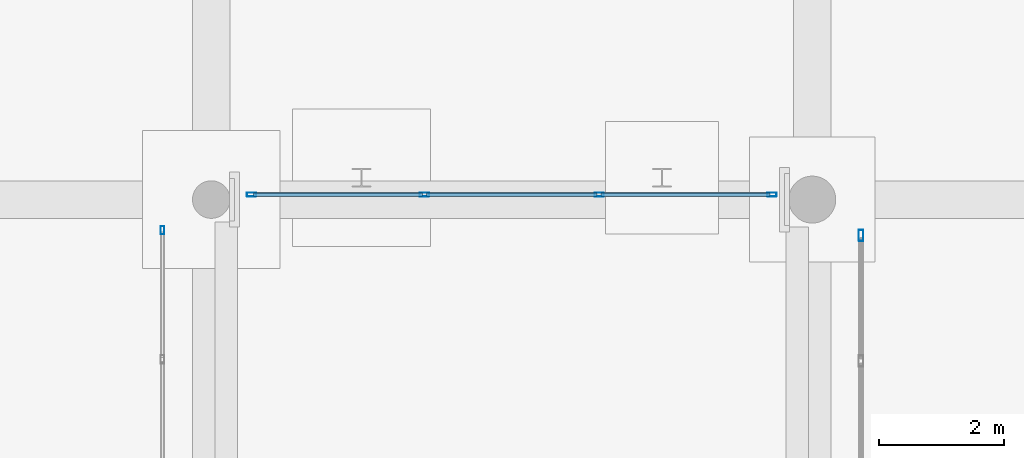
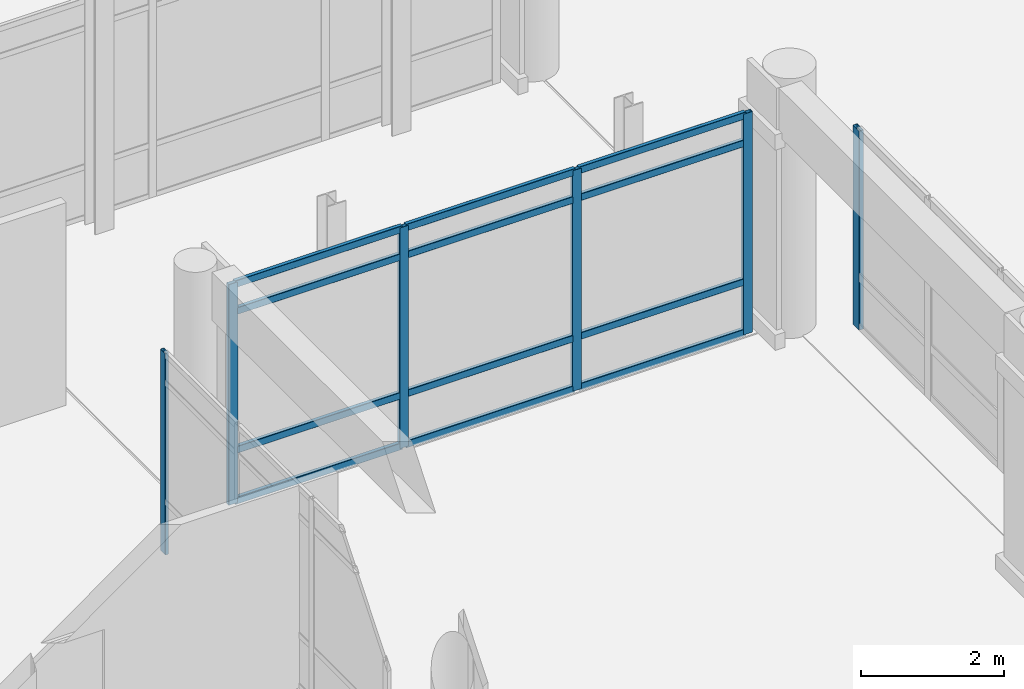
# One storey, part 82 of 196: 18 members, 3 elements without a shape of their own.
"""IFC4 building model written with IfcOpenShell, lengths in metres."""

from ifc_helpers import new_model, si_unit, direction, frame, origin, origin_2d, place, context, subcontext, project, spatial, hollow_rectangle, extrude, material, layer, layer_set, material_profile, profile_set, type_object, element, aggregate, save


model = new_model("IFC4")

# Units and contexts
model_context = context("Model", 3, precision=1e-05, world=origin(), true_north=direction((0.0, 1.0)))
body_context = subcontext(model_context, "Body", "Model", "MODEL_VIEW")
ifc_project = project(units=[si_unit("LENGTHUNIT", "METRE"), si_unit("AREAUNIT", "SQUARE_METRE"), si_unit("VOLUMEUNIT", "CUBIC_METRE"), si_unit("PLANEANGLEUNIT", "RADIAN"), si_unit("MASSUNIT", "GRAM", prefix="KILO")], contexts=[model_context])

# Site, building, storey
site_placement = place(None, origin())
site = spatial("IfcSite", under=ifc_project, at=site_placement, CompositionType="ELEMENT")
building_placement = place(site_placement, origin())
building = spatial("IfcBuilding", under=site, at=building_placement, Name="Asteropetra Specialist Clinic", CompositionType="ELEMENT")
storey_placement = place(building_placement, origin())
storey = spatial("IfcBuildingStorey", under=building, at=storey_placement, Name="L00", CompositionType="ELEMENT", Elevation=0.0)

# Curtain wall, member
ifc_material_1 = material(Name="Aluminium and low-E glass", Category="aluminium")
ifc_layer_1 = layer(ifc_material_1, 0.179931640625)
ifc_layer_set_1 = layer_set([ifc_layer_1], Name="Aluminium and low-E glass")
curtain_wall_type_1 = type_object("IfcCurtainWallType", Name="CW-SYS-10", PredefinedType="USERDEFINED", material=ifc_layer_set_1)
curtain_wall_1_placement = place(storey_placement, origin())
curtain_wall_1 = element("IfcCurtainWall", 1, at=curtain_wall_1_placement, inside=storey, type_object=curtain_wall_type_1, Name="Curtain Wall CW-170", ObjectType="STICK GLAZED COLONNADE", PredefinedType="USERDEFINED")
ifc_material_2 = material(Name="Aluminium 6063-T6", Category="aluminium")
ifc_material_profile_1 = material_profile(ifc_material_2, hollow_rectangle(XDim=0.06005859375, YDim=0.135009765625, WallThickness=0.00341796875, InnerFilletRadius=0.00341796875, OuterFilletRadius=0.007080078125, at=origin_2d()), Name="MUL 135x60x3.5")
ifc_profile_set_1 = profile_set([ifc_material_profile_1], Name="Aluminium 6063-T6")
member_type_1 = type_object("IfcMemberType", Name="CWM-135x60", PredefinedType="MULLION", material=ifc_profile_set_1)
member_1_placement = place(storey_placement, frame((95.219970703125, 47.510009765625, 0.0), z_axis=(0.0, 0.0, 1.0), x_axis=(-1.0, 0.0, 0.0)))
member_1 = element("IfcMember", 2, at=member_1_placement, type_object=member_type_1, Name="CW-170 mullion 4", PredefinedType="MULLION", context=body_context, shape_type="SweptSolid", body=[
    extrude(hollow_rectangle(XDim=0.06005859375, YDim=0.135009765625, WallThickness=0.00341796875, InnerFilletRadius=0.00341796875, OuterFilletRadius=0.007080078125, at=origin_2d()), origin(), (0.0, 0.0, 1.0), 3.43994140625),
])
aggregate(curtain_wall_1, [member_1])

# Curtain wall, members
ifc_material_3 = material(Name="Aluminium and low-E glass", Category="aluminium")
ifc_layer_2 = layer(ifc_material_3, 0.135009765625)
ifc_layer_set_2 = layer_set([ifc_layer_2], Name="Aluminium and low-E glass")
curtain_wall_type_2 = type_object("IfcCurtainWallType", Name="CW-SYS-03", PredefinedType="USERDEFINED", material=ifc_layer_set_2)
curtain_wall_2_placement = place(storey_placement, origin())
curtain_wall_2 = element("IfcCurtainWall", 3, at=curtain_wall_2_placement, inside=storey, type_object=curtain_wall_type_2, Name="Curtain Wall CW-115", ObjectType="UNITISED CURTAIN WALL", PredefinedType="USERDEFINED")
ifc_material_4 = material(Name="Aluminium 6063-T6", Category="aluminium")
ifc_material_profile_2 = material_profile(ifc_material_4, hollow_rectangle(XDim=0.06494140625, YDim=0.14990234375, WallThickness=0.00390625, InnerFilletRadius=0.00390625, OuterFilletRadius=0.008056640625, at=origin_2d()), Name="MUL 150x65x4.0")
ifc_profile_set_2 = profile_set([ifc_material_profile_2], Name="Aluminium 6063-T6")
member_type_2 = type_object("IfcMemberType", Name="CWM-150x65", PredefinedType="MULLION", material=ifc_profile_set_2)
member_2_placement = place(storey_placement, frame((96.642578125, 48.080078125, 0.0), z_axis=(0.0, 0.0, 1.0), x_axis=(0.0, 1.0, 0.0)))
member_2 = element("IfcMember", 4, at=member_2_placement, type_object=member_type_2, Name="CW-115 mullion 1", PredefinedType="MULLION", context=body_context, shape_type="SweptSolid", body=[
    extrude(hollow_rectangle(XDim=0.06494140625, YDim=0.14990234375, WallThickness=0.00390625, InnerFilletRadius=0.00390625, OuterFilletRadius=0.008056640625, at=origin_2d()), origin(), (0.0, 0.0, 1.0), 3.77001953125),
])
member_3_placement = place(storey_placement, frame((99.4033203125, 48.080078125, 0.0), z_axis=(0.0, 0.0, 1.0), x_axis=(0.0, 1.0, 0.0)))
member_3 = element("IfcMember", 5, at=member_3_placement, type_object=member_type_2, Name="CW-115 mullion 2", PredefinedType="MULLION", context=body_context, shape_type="SweptSolid", body=[
    extrude(hollow_rectangle(XDim=0.06494140625, YDim=0.14990234375, WallThickness=0.00390625, InnerFilletRadius=0.00390625, OuterFilletRadius=0.008056640625, at=origin_2d()), origin(), (0.0, 0.0, 1.0), 3.77001953125),
])
member_4_placement = place(storey_placement, frame((102.19677734375, 48.080078125, 0.0), z_axis=(0.0, 0.0, 1.0), x_axis=(0.0, 1.0, 0.0)))
member_4 = element("IfcMember", 6, at=member_4_placement, type_object=member_type_2, Name="CW-115 mullion 3", PredefinedType="MULLION", context=body_context, shape_type="SweptSolid", body=[
    extrude(hollow_rectangle(XDim=0.06494140625, YDim=0.14990234375, WallThickness=0.00390625, InnerFilletRadius=0.00390625, OuterFilletRadius=0.008056640625, at=origin_2d()), origin(), (0.0, 0.0, 1.0), 3.77001953125),
])
member_5_placement = place(storey_placement, frame((104.95751953125, 48.080078125, 0.0), z_axis=(0.0, 0.0, 1.0), x_axis=(0.0, 1.0, 0.0)))
member_5 = element("IfcMember", 7, at=member_5_placement, type_object=member_type_2, Name="CW-115 mullion 4", PredefinedType="MULLION", context=body_context, shape_type="SweptSolid", body=[
    extrude(hollow_rectangle(XDim=0.06494140625, YDim=0.14990234375, WallThickness=0.00390625, InnerFilletRadius=0.00390625, OuterFilletRadius=0.008056640625, at=origin_2d()), origin(), (0.0, 0.0, 1.0), 3.77001953125),
])

# Curtain wall, member
curtain_wall_3_placement = place(storey_placement, origin())
curtain_wall_3 = element("IfcCurtainWall", 8, at=curtain_wall_3_placement, inside=storey, type_object=curtain_wall_type_1, Name="Curtain Wall CW-204", ObjectType="STICK GLAZED COLONNADE", PredefinedType="USERDEFINED")
ifc_material_5 = material(Name="Aluminium 6063-T6", Category="aluminium")
ifc_material_profile_3 = material_profile(ifc_material_5, hollow_rectangle(XDim=0.074951171875, YDim=0.179931640625, WallThickness=0.00390625, InnerFilletRadius=0.00390625, OuterFilletRadius=0.008056640625, at=origin_2d()), Name="MUL 180x75x4.0")
ifc_profile_set_3 = profile_set([ifc_material_profile_3], Name="Aluminium 6063-T6")
member_type_3 = type_object("IfcMemberType", Name="CWM-180x75", PredefinedType="MULLION", material=ifc_profile_set_3)
member_6_placement = place(storey_placement, frame((106.3798828125, 47.427490234375, 0.0), z_axis=(0.0, 0.0, 1.0), x_axis=(1.0, 0.0, 0.0)))
member_6 = element("IfcMember", 9, at=member_6_placement, type_object=member_type_3, Name="CW-204 mullion 1", PredefinedType="MULLION", context=body_context, shape_type="SweptSolid", body=[
    extrude(hollow_rectangle(XDim=0.074951171875, YDim=0.179931640625, WallThickness=0.00390625, InnerFilletRadius=0.00390625, OuterFilletRadius=0.008056640625, at=origin_2d()), origin(), (0.0, 0.0, 1.0), 3.39990234375),
])
aggregate(curtain_wall_3, [member_6])

# Member
ifc_material_6 = material(Name="Aluminium 6063-T6", Category="aluminium")
ifc_material_profile_4 = material_profile(ifc_material_6, hollow_rectangle(XDim=0.06494140625, YDim=0.1201171875, WallThickness=0.00390625, InnerFilletRadius=0.00390625, OuterFilletRadius=0.008056640625, at=origin_2d()), Name="TRN 120x65x4.0")
ifc_profile_set_4 = profile_set([ifc_material_profile_4], Name="Aluminium 6063-T6")
member_type_4 = type_object("IfcMemberType", Name="CWT-120x65", PredefinedType="USERDEFINED", material=ifc_profile_set_4)
member_7_placement = place(storey_placement, frame((96.675048828125, 48.080078125, 0.032470703125), z_axis=(1.0, 0.0, 0.0), x_axis=(0.0, 1.0, 0.0)))
member_7 = element("IfcMember", 10, at=member_7_placement, type_object=member_type_4, Name="CW-115 transom 1.1", ObjectType="TRANSOM", PredefinedType="USERDEFINED", context=body_context, shape_type="SweptSolid", body=[
    extrude(hollow_rectangle(XDim=0.06494140625, YDim=0.1201171875, WallThickness=0.00390625, InnerFilletRadius=0.00390625, OuterFilletRadius=0.008056640625, at=origin_2d()), origin(), (0.0, 0.0, 1.0), 2.69580078125),
])

member_8_placement = place(storey_placement, frame((96.675048828125, 48.080078125, 0.89990234375), z_axis=(1.0, 0.0, 0.0), x_axis=(0.0, 1.0, 0.0)))
member_8 = element("IfcMember", 11, at=member_8_placement, type_object=member_type_4, Name="CW-115 transom 1.2", ObjectType="TRANSOM", PredefinedType="USERDEFINED", context=body_context, shape_type="SweptSolid", body=[
    extrude(hollow_rectangle(XDim=0.06494140625, YDim=0.1201171875, WallThickness=0.00390625, InnerFilletRadius=0.00390625, OuterFilletRadius=0.008056640625, at=origin_2d()), origin(), (0.0, 0.0, 1.0), 2.69580078125),
])

member_9_placement = place(storey_placement, frame((96.675048828125, 48.080078125, 3.27001953125), z_axis=(1.0, 0.0, 0.0), x_axis=(0.0, 1.0, 0.0)))
member_9 = element("IfcMember", 12, at=member_9_placement, type_object=member_type_4, Name="CW-115 transom 1.3", ObjectType="TRANSOM", PredefinedType="USERDEFINED", context=body_context, shape_type="SweptSolid", body=[
    extrude(hollow_rectangle(XDim=0.06494140625, YDim=0.1201171875, WallThickness=0.00390625, InnerFilletRadius=0.00390625, OuterFilletRadius=0.008056640625, at=origin_2d()), origin(), (0.0, 0.0, 1.0), 2.69580078125),
])

member_10_placement = place(storey_placement, frame((96.675048828125, 48.080078125, 3.737548828125), z_axis=(1.0, 0.0, 0.0), x_axis=(0.0, 1.0, 0.0)))
member_10 = element("IfcMember", 13, at=member_10_placement, type_object=member_type_4, Name="CW-115 transom 1.4", ObjectType="TRANSOM", PredefinedType="USERDEFINED", context=body_context, shape_type="SweptSolid", body=[
    extrude(hollow_rectangle(XDim=0.06494140625, YDim=0.1201171875, WallThickness=0.00390625, InnerFilletRadius=0.00390625, OuterFilletRadius=0.008056640625, at=origin_2d()), origin(), (0.0, 0.0, 1.0), 2.69580078125),
])

member_11_placement = place(storey_placement, frame((99.435791015625, 48.080078125, 0.032470703125), z_axis=(1.0, 0.0, 0.0), x_axis=(0.0, 1.0, 0.0)))
member_11 = element("IfcMember", 14, at=member_11_placement, type_object=member_type_4, Name="CW-115 transom 2.1", ObjectType="TRANSOM", PredefinedType="USERDEFINED", context=body_context, shape_type="SweptSolid", body=[
    extrude(hollow_rectangle(XDim=0.06494140625, YDim=0.1201171875, WallThickness=0.00390625, InnerFilletRadius=0.00390625, OuterFilletRadius=0.008056640625, at=origin_2d()), origin(), (0.0, 0.0, 1.0), 2.728271484375),
])

member_12_placement = place(storey_placement, frame((99.435791015625, 48.080078125, 0.89990234375), z_axis=(1.0, 0.0, 0.0), x_axis=(0.0, 1.0, 0.0)))
member_12 = element("IfcMember", 15, at=member_12_placement, type_object=member_type_4, Name="CW-115 transom 2.2", ObjectType="TRANSOM", PredefinedType="USERDEFINED", context=body_context, shape_type="SweptSolid", body=[
    extrude(hollow_rectangle(XDim=0.06494140625, YDim=0.1201171875, WallThickness=0.00390625, InnerFilletRadius=0.00390625, OuterFilletRadius=0.008056640625, at=origin_2d()), origin(), (0.0, 0.0, 1.0), 2.728271484375),
])

member_13_placement = place(storey_placement, frame((99.435791015625, 48.080078125, 3.27001953125), z_axis=(1.0, 0.0, 0.0), x_axis=(0.0, 1.0, 0.0)))
member_13 = element("IfcMember", 16, at=member_13_placement, type_object=member_type_4, Name="CW-115 transom 2.3", ObjectType="TRANSOM", PredefinedType="USERDEFINED", context=body_context, shape_type="SweptSolid", body=[
    extrude(hollow_rectangle(XDim=0.06494140625, YDim=0.1201171875, WallThickness=0.00390625, InnerFilletRadius=0.00390625, OuterFilletRadius=0.008056640625, at=origin_2d()), origin(), (0.0, 0.0, 1.0), 2.728271484375),
])

member_14_placement = place(storey_placement, frame((99.435791015625, 48.080078125, 3.737548828125), z_axis=(1.0, 0.0, 0.0), x_axis=(0.0, 1.0, 0.0)))
member_14 = element("IfcMember", 17, at=member_14_placement, type_object=member_type_4, Name="CW-115 transom 2.4", ObjectType="TRANSOM", PredefinedType="USERDEFINED", context=body_context, shape_type="SweptSolid", body=[
    extrude(hollow_rectangle(XDim=0.06494140625, YDim=0.1201171875, WallThickness=0.00390625, InnerFilletRadius=0.00390625, OuterFilletRadius=0.008056640625, at=origin_2d()), origin(), (0.0, 0.0, 1.0), 2.728271484375),
])

member_15_placement = place(storey_placement, frame((102.229248046875, 48.080078125, 0.032470703125), z_axis=(1.0, 0.0, 0.0), x_axis=(0.0, 1.0, 0.0)))
member_15 = element("IfcMember", 18, at=member_15_placement, type_object=member_type_4, Name="CW-115 transom 3.1", ObjectType="TRANSOM", PredefinedType="USERDEFINED", context=body_context, shape_type="SweptSolid", body=[
    extrude(hollow_rectangle(XDim=0.06494140625, YDim=0.1201171875, WallThickness=0.00390625, InnerFilletRadius=0.00390625, OuterFilletRadius=0.008056640625, at=origin_2d()), origin(), (0.0, 0.0, 1.0), 2.69580078125),
])

member_16_placement = place(storey_placement, frame((102.229248046875, 48.080078125, 0.89990234375), z_axis=(1.0, 0.0, 0.0), x_axis=(0.0, 1.0, 0.0)))
member_16 = element("IfcMember", 19, at=member_16_placement, type_object=member_type_4, Name="CW-115 transom 3.2", ObjectType="TRANSOM", PredefinedType="USERDEFINED", context=body_context, shape_type="SweptSolid", body=[
    extrude(hollow_rectangle(XDim=0.06494140625, YDim=0.1201171875, WallThickness=0.00390625, InnerFilletRadius=0.00390625, OuterFilletRadius=0.008056640625, at=origin_2d()), origin(), (0.0, 0.0, 1.0), 2.69580078125),
])

member_17_placement = place(storey_placement, frame((102.229248046875, 48.080078125, 3.27001953125), z_axis=(1.0, 0.0, 0.0), x_axis=(0.0, 1.0, 0.0)))
member_17 = element("IfcMember", 20, at=member_17_placement, type_object=member_type_4, Name="CW-115 transom 3.3", ObjectType="TRANSOM", PredefinedType="USERDEFINED", context=body_context, shape_type="SweptSolid", body=[
    extrude(hollow_rectangle(XDim=0.06494140625, YDim=0.1201171875, WallThickness=0.00390625, InnerFilletRadius=0.00390625, OuterFilletRadius=0.008056640625, at=origin_2d()), origin(), (0.0, 0.0, 1.0), 2.69580078125),
])

member_18_placement = place(storey_placement, frame((102.229248046875, 48.080078125, 3.737548828125), z_axis=(1.0, 0.0, 0.0), x_axis=(0.0, 1.0, 0.0)))
member_18 = element("IfcMember", 21, at=member_18_placement, type_object=member_type_4, Name="CW-115 transom 3.4", ObjectType="TRANSOM", PredefinedType="USERDEFINED", context=body_context, shape_type="SweptSolid", body=[
    extrude(hollow_rectangle(XDim=0.06494140625, YDim=0.1201171875, WallThickness=0.00390625, InnerFilletRadius=0.00390625, OuterFilletRadius=0.008056640625, at=origin_2d()), origin(), (0.0, 0.0, 1.0), 2.69580078125),
])

aggregate(curtain_wall_2, [member_2, member_3, member_4, member_5, member_7, member_8, member_9, member_10, member_11, member_12, member_13, member_14, member_15, member_16, member_17, member_18])

save(model, "model.ifc")
